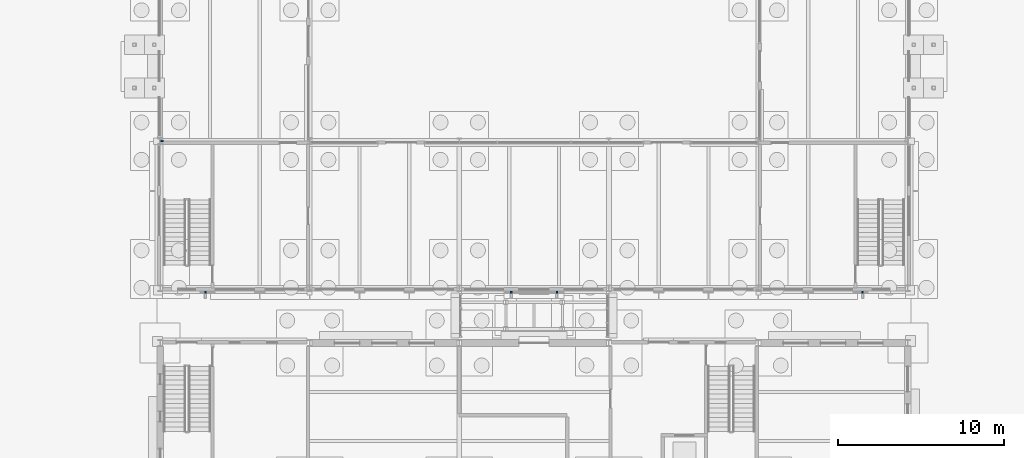
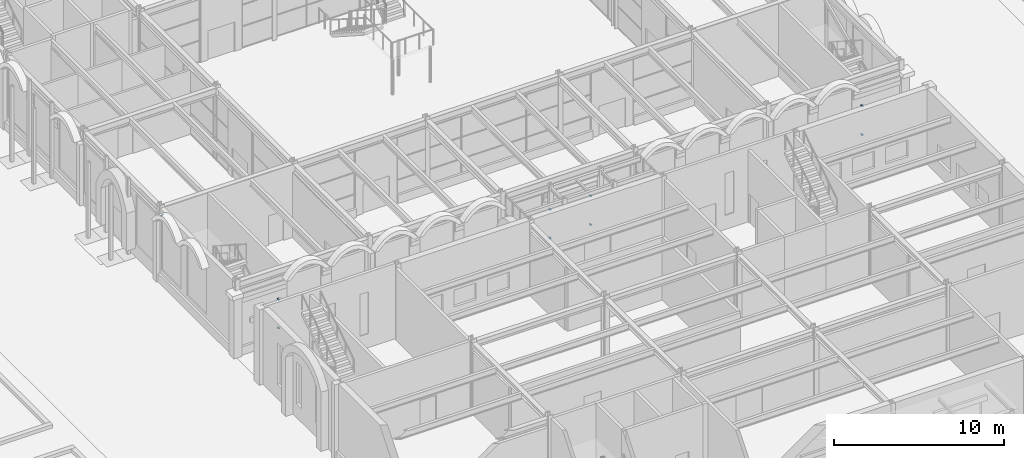
# One storey, part 91 of 126: 9 discrete accessories.
"""IFC4 building model written with IfcOpenShell, lengths in metres."""

from ifc_helpers import new_model, si_unit, direction, frame, origin, origin_2d, place, context, subcontext, project, spatial, rectangle, extrude, material, material_profile, profile_set, type_object, element, save


model = new_model("IFC4")

# Units and contexts
model_context = context("Model", 3, precision=1e-05, world=origin(), true_north=direction((0.0, 1.0)))
body_context = subcontext(model_context, "Body", "Model", "MODEL_VIEW")
ifc_project = project(units=[si_unit("LENGTHUNIT", "METRE"), si_unit("AREAUNIT", "SQUARE_METRE"), si_unit("VOLUMEUNIT", "CUBIC_METRE"), si_unit("PLANEANGLEUNIT", "RADIAN"), si_unit("MASSUNIT", "GRAM", prefix="KILO")], contexts=[model_context])

# Site, building, storey
site_placement = place(None, origin())
site = spatial("IfcSite", under=ifc_project, at=site_placement, CompositionType="ELEMENT")
building_placement = place(site_placement, origin())
building = spatial("IfcBuilding", under=site, at=building_placement, Name="Kallimachos Central Library", CompositionType="ELEMENT")
storey_placement = place(building_placement, origin())
storey = spatial("IfcBuildingStorey", under=building, at=storey_placement, Name="L00", CompositionType="ELEMENT", Elevation=0.0)

# Discrete accessories
ifc_material_1 = material(Name="Steel S355J2", Category="steel")
ifc_material_profile = material_profile(ifc_material_1, rectangle(XDim=0.14990234375, YDim=0.25, at=origin_2d()), Name="End cap plate 10, 150x250")
ifc_profile_set = profile_set([ifc_material_profile], Name="Steel S355J2")
discrete_accessory_type_1 = type_object("IfcDiscreteAccessoryType", Name="End cap plate 10, 150x250", PredefinedType="BRACKET", material=ifc_profile_set)
discrete_accessory_placement = place(storey_placement, frame((65.60009765625, 57.0, 4.5), z_axis=(0.0, 0.908676843963, 0.417500171551), x_axis=(-1.0, 0.0, 0.0)))
element("IfcDiscreteAccessory", 1, at=discrete_accessory_placement, inside=storey, type_object=discrete_accessory_type_1, Name="End cap plate", PredefinedType="BRACKET", context=body_context, shape_type="SweptSolid", body=[
    extrude(rectangle(XDim=0.14990234375, YDim=0.25, at=origin_2d()), origin(), (0.0, 0.0, 1.0), 0.010009765625),
])
ifc_material_2 = material(Name="Stainless steel", Category="steel")
discrete_accessory_type_2 = type_object("IfcDiscreteAccessoryType", Name="Fin bracket", PredefinedType="BRACKET", material=ifc_material_2)
for number, where, z_axis, x_axis, name in (
    (2, (68.22509765625, 47.905029296875, 1.0), (0.0, 0.0, 1.0), (1.0, 0.0, 0.0), "Fin bracket -L00-015"),
    (3, (68.22509765625, 47.905029296875, 3.050048828125), (0.0, 0.0, 1.0), (1.0, 0.0, 0.0), "Fin bracket -L00-015"),
    (4, (86.625, 47.905029296875, 1.0), (0.0, 0.0, 1.0), (1.0, 0.0, 0.0), "Fin bracket -L00-017"),
    (5, (86.625, 47.905029296875, 3.050048828125), (0.0, 0.0, 1.0), (1.0, 0.0, 0.0), "Fin bracket -L00-017"),
    (6, (89.375, 47.905029296875, 1.0), (0.0, 0.0, 1.0), (1.0, 0.0, 0.0), "Fin bracket -L00-017"),
    (7, (89.375, 47.905029296875, 3.050048828125), (0.0, 0.0, 1.0), (1.0, 0.0, 0.0), "Fin bracket -L00-017"),
    (8, (107.77490234375, 47.905029296875, 1.0), (0.0, 0.0, 1.0), (1.0, 0.0, 0.0), "Fin bracket -L00-019"),
    (9, (107.77490234375, 47.905029296875, 3.050048828125), (0.0, 0.0, 1.0), (1.0, 0.0, 0.0), "Fin bracket -L00-019"),
):
    element("IfcDiscreteAccessory", number, at=place(storey_placement, frame(where, z_axis=z_axis, x_axis=x_axis)), inside=storey, type_object=discrete_accessory_type_2, Name=name, PredefinedType="BRACKET", context=body_context, shape_type="SweptSolid", body=[
        extrude(rectangle(XDim=0.10009765625, YDim=0.14990234375, at=origin_2d()), origin(), (0.0, 0.0, 1.0), 0.10009765625),
    ])

save(model, "model.ifc")
